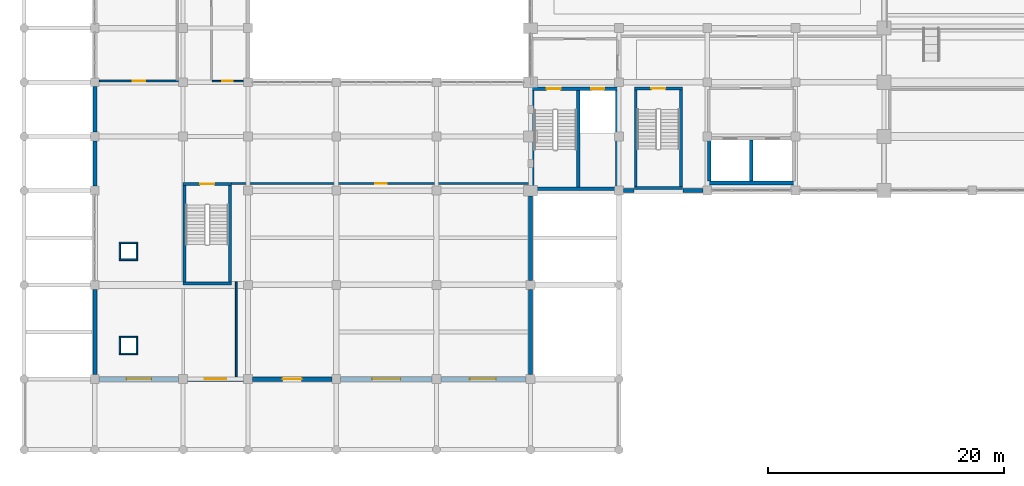
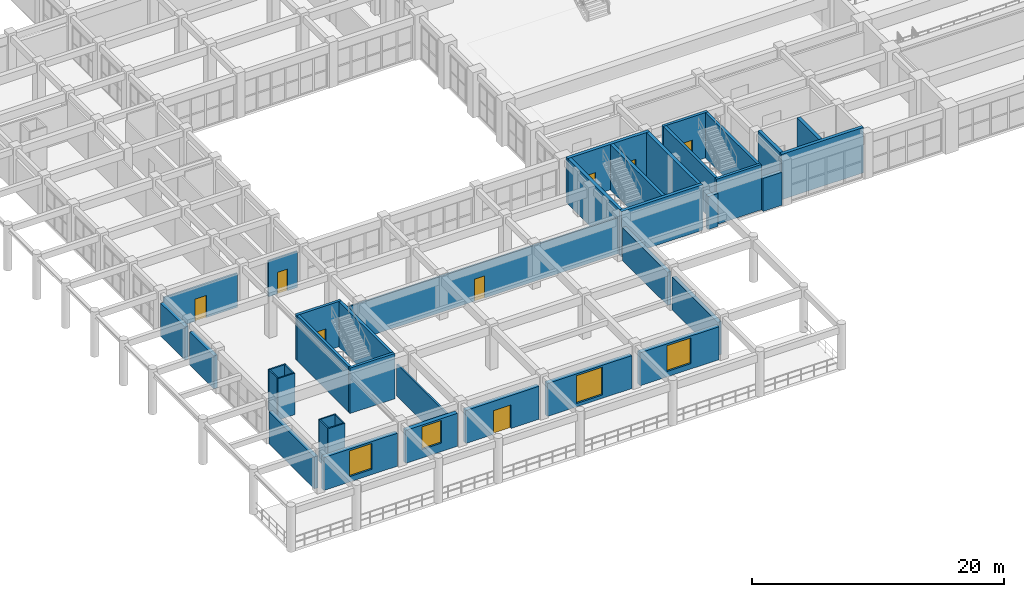
# One storey, part 95 of 116: 40 walls, 8 doors, 4 windows, 12 openings.
"""IFC4 building model written with IfcOpenShell, lengths in metres."""

from ifc_helpers import new_model, si_unit, direction, frame, frame_2d, origin, place, context, subcontext, project, spatial, rectangle, extrude, material, layer, layer_set, type_object, element, fill, save


model = new_model("IFC4")

# Units and contexts
model_context = context("Model", 3, precision=1e-05, world=origin(), true_north=direction((0.0, 1.0)))
body_context = subcontext(model_context, "Body", "Model", "MODEL_VIEW")
ifc_project = project(units=[si_unit("LENGTHUNIT", "METRE"), si_unit("AREAUNIT", "SQUARE_METRE"), si_unit("VOLUMEUNIT", "CUBIC_METRE"), si_unit("PLANEANGLEUNIT", "RADIAN"), si_unit("MASSUNIT", "GRAM", prefix="KILO")], contexts=[model_context])

# Site, building, storey
site_placement = place(None, origin())
site = spatial("IfcSite", under=ifc_project, at=site_placement, CompositionType="ELEMENT")
building_placement = place(site_placement, origin())
building = spatial("IfcBuilding", under=site, at=building_placement, Name="Muzn Square Opera House", CompositionType="ELEMENT")
storey_placement = place(building_placement, frame((0.0, 0.0, 5.39990234375)))
storey = spatial("IfcBuildingStorey", under=building, at=storey_placement, Name="L01", CompositionType="ELEMENT", Elevation=5.39990234375)

# Walls
ifc_material_1 = material(Name="Concrete C45/55", Category="concrete")
ifc_layer_1 = layer(ifc_material_1, 0.25, Name="Concrete C45/55", Category="concrete")
ifc_layer_set_1 = layer_set([ifc_layer_1], Name="Concrete C45/55")
wall_type_1 = type_object("IfcWallType", Name="Aux Stair Enclosure Wall 250mm", PredefinedType="SHEAR", material=ifc_layer_set_1)
wall_1_placement = place(storey_placement, frame((13.5, 14.125, 0.0), z_axis=(0.0, 0.0, 1.0), x_axis=(1.0, 0.0, 0.0)))
element("IfcWall", 1, at=wall_1_placement, inside=storey, type_object=wall_type_1, Name="Escape Stair ST-7 Wall S L01", PredefinedType="SHEAR", context=body_context, shape_type="SweptSolid", body=[
    extrude(rectangle(XDim=4.10009765625, YDim=0.25, at=frame_2d((2.050048828125, 0.0))), origin(), (0.0, 0.0, 1.0), 4.400146484375),
])
for number, where, z_axis, x_axis, name in (
    (2, (13.625, 14.25, 0.0), (0.0, 0.0, 1.0), (0.0, 1.0, 0.0), "Escape Stair ST-7 Wall W L01"),
    (3, (17.47509765625, 14.25, 0.0), (0.0, 0.0, 1.0), (0.0, 1.0, 0.0), "Escape Stair ST-7 Wall E L01"),
):
    element("IfcWall", number, at=place(storey_placement, frame(where, z_axis=z_axis, x_axis=x_axis)), inside=storey, type_object=wall_type_1, Name=name, PredefinedType="SHEAR", context=body_context, shape_type="SweptSolid", body=[
        extrude(rectangle(XDim=8.199951171875, YDim=0.25, at=frame_2d((4.10009765625, 0.0))), origin(), (0.0, 0.0, 1.0), 4.400146484375),
    ])

# Wall, opening, door
wall_2_placement = place(storey_placement, frame((13.5, 22.574951171875, 0.0), z_axis=(0.0, 0.0, 1.0), x_axis=(1.0, 0.0, 0.0)))
wall_2 = element("IfcWall", 4, at=wall_2_placement, inside=storey, type_object=wall_type_1, Name="Escape Stair ST-7 Wall N L01", PredefinedType="SHEAR", context=body_context, shape_type="SweptSolid", body=[
    extrude(rectangle(XDim=4.10009765625, YDim=0.25, at=frame_2d((2.050048828125, 0.0))), origin(), (0.0, 0.0, 1.0), 4.400146484375),
])
opening_1_placement = place(wall_2_placement, frame((1.449951171875, 0.0, 0.0)))
opening_1 = element("IfcOpeningElement", 5, at=opening_1_placement, cuts=wall_2, Name="Opening DR-ST12", PredefinedType="OPENING", context=body_context, shape_type="SweptSolid", body=[
    extrude(rectangle(XDim=1.199951171875, YDim=2.14990234375, at=frame_2d((0.60009765625, 1.074951171875))), frame((0.0, 0.135009765625, 0.0), z_axis=(0.0, -1.0, 0.0), x_axis=(1.0, 0.0, 0.0)), (0.0, 0.0, 1.0), 0.27001953125),
])
ifc_material_2 = material(Name="Galvanised painted steel leaf", Category="metal")
door_type_1 = type_object("IfcDoorType", Name="Core Stair Fire Door 1200x2150", OperationType="NOTDEFINED", PredefinedType="DOOR", material=ifc_material_2)
door_1_placement = place(opening_1_placement, origin())
door_1 = element("IfcDoor", 6, at=door_1_placement, inside=storey, type_object=door_type_1, Name="Escape Stair ST-7 Door L01", OperationType="SINGLE_SWING_LEFT", OverallHeight=2.14990234375, OverallWidth=1.199951171875, PredefinedType="DOOR", context=body_context, shape_type="SweptSolid", body=[
    extrude(rectangle(XDim=1.199951171875, YDim=2.14990234375, at=frame_2d((0.60009765625, 1.074951171875))), frame((0.0, 0.02490234375, 0.0), z_axis=(0.0, -1.0, 0.0), x_axis=(1.0, 0.0, 0.0)), (0.0, 0.0, 1.0), 0.050048828125),
])
fill(opening_1, door_1)

# Walls
wall_3_placement = place(storey_placement, frame((51.800048828125, 22.22509765625, 0.0), z_axis=(0.0, 0.0, 1.0), x_axis=(1.0, 0.0, 0.0)))
element("IfcWall", 7, at=wall_3_placement, inside=storey, type_object=wall_type_1, Name="Escape Stair ST-11 Wall S L01", PredefinedType="SHEAR", context=body_context, shape_type="SweptSolid", body=[
    extrude(rectangle(XDim=4.099853515625, YDim=0.25, at=frame_2d((2.0498046875, 0.0))), origin(), (0.0, 0.0, 1.0), 4.400146484375),
])
for number, where, z_axis, x_axis, name in (
    (8, (51.925048828125, 22.35009765625, 0.0), (0.0, 0.0, 1.0), (0.0, 1.0, 0.0), "Escape Stair ST-11 Wall W L01"),
    (9, (55.77490234375, 22.35009765625, 0.0), (0.0, 0.0, 1.0), (0.0, 1.0, 0.0), "Escape Stair ST-11 Wall E L01"),
):
    element("IfcWall", number, at=place(storey_placement, frame(where, z_axis=z_axis, x_axis=x_axis)), inside=storey, type_object=wall_type_1, Name=name, PredefinedType="SHEAR", context=body_context, shape_type="SweptSolid", body=[
        extrude(rectangle(XDim=8.199951171875, YDim=0.25, at=frame_2d((4.10009765625, 0.0))), origin(), (0.0, 0.0, 1.0), 4.400146484375),
    ])

# Wall, opening, door
wall_4_placement = place(storey_placement, frame((51.800048828125, 30.675048828125, 0.0), z_axis=(0.0, 0.0, 1.0), x_axis=(1.0, 0.0, 0.0)))
wall_4 = element("IfcWall", 10, at=wall_4_placement, inside=storey, type_object=wall_type_1, Name="Escape Stair ST-11 Wall N L01", PredefinedType="SHEAR", context=body_context, shape_type="SweptSolid", body=[
    extrude(rectangle(XDim=4.099853515625, YDim=0.25, at=frame_2d((2.0498046875, 0.0))), origin(), (0.0, 0.0, 1.0), 4.400146484375),
])
opening_2_placement = place(wall_4_placement, frame((1.449951171875, 0.0, 0.0)))
opening_2 = element("IfcOpeningElement", 11, at=opening_2_placement, cuts=wall_4, Name="Opening DR-ST12", PredefinedType="OPENING", context=body_context, shape_type="SweptSolid", body=[
    extrude(rectangle(XDim=1.199951171875, YDim=2.14990234375, at=frame_2d((0.60009765625, 1.074951171875))), frame((0.0, 0.135009765625, 0.0), z_axis=(0.0, -1.0, 0.0), x_axis=(1.0, 0.0, 0.0)), (0.0, 0.0, 1.0), 0.27001953125),
])
door_2_placement = place(opening_2_placement, origin())
door_2 = element("IfcDoor", 12, at=door_2_placement, inside=storey, type_object=door_type_1, Name="Escape Stair ST-11 Door L01", OperationType="SINGLE_SWING_LEFT", OverallHeight=2.14990234375, OverallWidth=1.199951171875, PredefinedType="DOOR", context=body_context, shape_type="SweptSolid", body=[
    extrude(rectangle(XDim=1.199951171875, YDim=2.14990234375, at=frame_2d((0.60009765625, 1.074951171875))), frame((0.0, 0.02490234375, 0.0), z_axis=(0.0, -1.0, 0.0), x_axis=(1.0, 0.0, 0.0)), (0.0, 0.0, 1.0), 0.050048828125),
])
fill(opening_2, door_2)

# Walls
ifc_layer_2 = layer(ifc_material_1, 0.300048828125, Name="Concrete C45/55", Category="concrete")
ifc_layer_set_2 = layer_set([ifc_layer_2], Name="Concrete C45/55")
wall_type_2 = type_object("IfcWallType", Name="Core Shear Wall 300mm", PredefinedType="SHEAR", material=ifc_layer_set_2)
wall_5_placement = place(storey_placement, frame((43.0, 22.14990234375, 0.0), z_axis=(0.0, 0.0, 1.0), x_axis=(1.0, 0.0, 0.0)))
element("IfcWall", 13, at=wall_5_placement, inside=storey, type_object=wall_type_2, Name="Core C3 Shear Wall SW-C3-L01-S", PredefinedType="SHEAR", context=body_context, shape_type="SweptSolid", body=[
    extrude(rectangle(XDim=7.5, YDim=0.300048828125, at=frame_2d((3.75, 0.0))), origin(), (0.0, 0.0, 1.0), 4.400146484375),
])
for number, where, z_axis, x_axis, name in (
    (14, (43.14990234375, 22.300048828125, 0.0), (0.0, 0.0, 1.0), (0.0, 1.0, 0.0), "Core C3 Shear Wall SW-C3-L01-W"),
    (15, (50.35009765625, 22.300048828125, 0.0), (0.0, 0.0, 1.0), (0.0, 1.0, 0.0), "Core C3 Shear Wall SW-C3-L01-E"),
    (16, (47.050048828125, 22.300048828125, 0.0), (0.0, 0.0, 1.0), (0.0, 1.0, 0.0), "Core C3 Shear Wall SW-C3-L01-DIV"),
):
    element("IfcWall", number, at=place(storey_placement, frame(where, z_axis=z_axis, x_axis=x_axis)), inside=storey, type_object=wall_type_2, Name=name, PredefinedType="SHEAR", context=body_context, shape_type="SweptSolid", body=[
        extrude(rectangle(XDim=8.199951171875, YDim=0.300048828125, at=frame_2d((4.10009765625, 0.0))), origin(), (0.0, 0.0, 1.0), 4.400146484375),
    ])
wall_6_placement = place(storey_placement, frame((58.0, 22.64990234375, 0.0), z_axis=(0.0, 0.0, 1.0), x_axis=(1.0, 0.0, 0.0)))
element("IfcWall", 17, at=wall_6_placement, inside=storey, type_object=wall_type_2, Name="Lift Bank LBW Shear Wall SW-LBW-L01-S", PredefinedType="SHEAR", context=body_context, shape_type="SweptSolid", body=[
    extrude(rectangle(XDim=7.5, YDim=0.300048828125, at=frame_2d((3.75, 0.0))), origin(), (0.0, 0.0, 1.0), 4.400146484375),
])
for number, where, z_axis, x_axis, name in (
    (18, (58.14990234375, 22.800048828125, 0.0), (0.0, 0.0, 1.0), (0.0, 1.0, 0.0), "Lift Bank LBW Shear Wall SW-LBW-L01-W"),
    (19, (61.75, 22.800048828125, 0.0), (0.0, 0.0, 1.0), (0.0, 1.0, 0.0), "Lift Bank LBW Shear Wall SW-LBW-L01-DIV"),
):
    element("IfcWall", number, at=place(storey_placement, frame(where, z_axis=z_axis, x_axis=x_axis)), inside=storey, type_object=wall_type_2, Name=name, PredefinedType="SHEAR", context=body_context, shape_type="SweptSolid", body=[
        extrude(rectangle(XDim=3.5, YDim=0.300048828125, at=frame_2d((1.75, 0.0))), origin(), (0.0, 0.0, 1.0), 4.400146484375),
    ])

# Wall, openings, doors
wall_7_placement = place(storey_placement, frame((43.0, 30.64990234375, 0.0), z_axis=(0.0, 0.0, 1.0), x_axis=(1.0, 0.0, 0.0)))
wall_7 = element("IfcWall", 20, at=wall_7_placement, inside=storey, type_object=wall_type_2, Name="Core C3 Front Shear Wall L01", PredefinedType="SHEAR", context=body_context, shape_type="SweptSolid", body=[
    extrude(rectangle(XDim=7.5, YDim=0.300048828125, at=frame_2d((3.75, 0.0))), origin(), (0.0, 0.0, 1.0), 4.400146484375),
])
opening_3_placement = place(wall_7_placement, frame((1.35009765625, 0.0, 0.0)))
opening_3 = element("IfcOpeningElement", 21, at=opening_3_placement, cuts=wall_7, Name="Opening DR-ST12", PredefinedType="OPENING", context=body_context, shape_type="SweptSolid", body=[
    extrude(rectangle(XDim=1.199951171875, YDim=2.14990234375, at=frame_2d((0.60009765625, 1.074951171875))), frame((0.0, 0.159912109375, 0.0), z_axis=(0.0, -1.0, 0.0), x_axis=(1.0, 0.0, 0.0)), (0.0, 0.0, 1.0), 0.320068359375),
])
opening_4_placement = place(wall_7_placement, frame((5.14990234375, 0.0, 0.0)))
opening_4 = element("IfcOpeningElement", 22, at=opening_4_placement, cuts=wall_7, Name="Opening LD-01", PredefinedType="OPENING", context=body_context, shape_type="SweptSolid", body=[
    extrude(rectangle(XDim=1.10009765625, YDim=2.14990234375, at=frame_2d((0.550048828125, 1.074951171875))), frame((0.0, 0.159912109375, 0.0), z_axis=(0.0, -1.0, 0.0), x_axis=(1.0, 0.0, 0.0)), (0.0, 0.0, 1.0), 0.320068359375),
])
door_3_placement = place(opening_3_placement, origin())
door_3 = element("IfcDoor", 23, at=door_3_placement, inside=storey, type_object=door_type_1, Name="Core C3 Stair Door L01", OperationType="SINGLE_SWING_LEFT", OverallHeight=2.14990234375, OverallWidth=1.199951171875, PredefinedType="DOOR", context=body_context, shape_type="SweptSolid", body=[
    extrude(rectangle(XDim=1.199951171875, YDim=2.14990234375, at=frame_2d((0.60009765625, 1.074951171875))), frame((0.0, 0.02490234375, 0.0), z_axis=(0.0, -1.0, 0.0), x_axis=(1.0, 0.0, 0.0)), (0.0, 0.0, 1.0), 0.050048828125),
])
fill(opening_3, door_3)
ifc_material_3 = material(Name="Brushed stainless steel", Category="metal")
door_type_2 = type_object("IfcDoorType", Name="Lift Landing Sliding Door 1100x2150", OperationType="SLIDING_TO_LEFT", PredefinedType="DOOR", material=ifc_material_3)
door_4_placement = place(opening_4_placement, origin())
door_4 = element("IfcDoor", 24, at=door_4_placement, inside=storey, type_object=door_type_2, Name="Lift PL-1 Sliding Landing Door L01", OperationType="SLIDING_TO_LEFT", OverallHeight=2.14990234375, OverallWidth=1.10009765625, PredefinedType="DOOR", context=body_context, shape_type="SweptSolid", body=[
    extrude(rectangle(XDim=1.10009765625, YDim=2.14990234375, at=frame_2d((0.550048828125, 1.074951171875))), frame((0.0, 0.02490234375, 0.0), z_axis=(0.0, -1.0, 0.0), x_axis=(1.0, 0.0, 0.0)), (0.0, 0.0, 1.0), 0.050048828125),
])
fill(opening_4, door_4)

# Walls
ifc_material_4 = material(Name="Concrete C40/50", Category="concrete")
ifc_layer_3 = layer(ifc_material_4, 0.340087890625, Name="Concrete C40/50", Category="concrete")
ifc_layer_set_3 = layer_set([ifc_layer_3], Name="Concrete C40/50")
wall_type_3 = type_object("IfcWallType", Name="Exterior Insulated Spandrel Wall 340mm", PredefinedType="SOLIDWALL", material=ifc_layer_set_3)
wall_8_placement = place(storey_placement, frame((43.0, 6.375, 0.0), z_axis=(0.0, 0.0, 1.0), x_axis=(0.0, 1.0, 0.0)))
element("IfcWall", 25, at=wall_8_placement, inside=storey, type_object=wall_type_3, Name="Exterior Facade Wall EW-L01-170", PredefinedType="SOLIDWALL", context=body_context, shape_type="SweptSolid", body=[
    extrude(rectangle(XDim=7.25, YDim=0.340087890625, at=frame_2d((3.625, 0.0))), origin(), (0.0, 0.0, 1.0), 3.2001953125),
])
wall_9_placement = place(storey_placement, frame((43.0, 14.375, 0.0), z_axis=(0.0, 0.0, 1.0), x_axis=(0.0, 1.0, 0.0)))
element("IfcWall", 26, at=wall_9_placement, inside=storey, type_object=wall_type_3, Name="Exterior Facade Wall EW-L01-171", PredefinedType="SOLIDWALL", context=body_context, shape_type="SweptSolid", body=[
    extrude(rectangle(XDim=7.175048828125, YDim=0.340087890625, at=frame_2d((3.58740234375, 0.0))), origin(), (0.0, 0.0, 1.0), 3.2001953125),
])
wall_10_placement = place(storey_placement, frame((6.0, 6.375, 0.0), z_axis=(0.0, 0.0, 1.0), x_axis=(0.0, 1.0, 0.0)))
element("IfcWall", 27, at=wall_10_placement, inside=storey, type_object=wall_type_3, Name="Exterior Facade Wall EW-L01-172", PredefinedType="SOLIDWALL", context=body_context, shape_type="SweptSolid", body=[
    extrude(rectangle(XDim=7.25, YDim=0.340087890625, at=frame_2d((3.625, 0.0))), origin(), (0.0, 0.0, 1.0), 3.10009765625),
])
wall_11_placement = place(storey_placement, frame((6.0, 22.375, 0.0), z_axis=(0.0, 0.0, 1.0), x_axis=(0.0, 1.0, 0.0)))
element("IfcWall", 28, at=wall_11_placement, inside=storey, type_object=wall_type_3, Name="Exterior Facade Wall EW-L01-173", PredefinedType="SOLIDWALL", context=body_context, shape_type="SweptSolid", body=[
    extrude(rectangle(XDim=3.85009765625, YDim=0.340087890625, at=frame_2d((1.925048828125, 0.0))), origin(), (0.0, 0.0, 1.0), 3.2001953125),
])
wall_12_placement = place(storey_placement, frame((6.0, 26.97509765625, 0.0), z_axis=(0.0, 0.0, 1.0), x_axis=(0.0, 1.0, 0.0)))
element("IfcWall", 29, at=wall_12_placement, inside=storey, type_object=wall_type_3, Name="Exterior Facade Wall EW-L01-174", PredefinedType="SOLIDWALL", context=body_context, shape_type="SweptSolid", body=[
    extrude(rectangle(XDim=3.849853515625, YDim=0.340087890625, at=frame_2d((1.9248046875, 0.0))), origin(), (0.0, 0.0, 1.0), 3.2001953125),
])
wall_13_placement = place(storey_placement, frame((50.875, 22.0, 0.0), z_axis=(0.0, 0.0, 1.0), x_axis=(1.0, 0.0, 0.0)))
element("IfcWall", 30, at=wall_13_placement, inside=storey, type_object=wall_type_3, Name="Exterior Facade Wall EW-L01-168", PredefinedType="SOLIDWALL", context=body_context, shape_type="SweptSolid", body=[
    extrude(rectangle(XDim=0.905029296875, YDim=0.340087890625, at=frame_2d((0.45263671875, 0.0))), origin(), (0.0, 0.0, 1.0), 3.2001953125),
])
wall_14_placement = place(storey_placement, frame((55.919921875, 22.0, 0.0), z_axis=(0.0, 0.0, 1.0), x_axis=(1.0, 0.0, 0.0)))
element("IfcWall", 31, at=wall_14_placement, inside=storey, type_object=wall_type_3, Name="Exterior Facade Wall EW-L01-168", PredefinedType="SOLIDWALL", context=body_context, shape_type="SweptSolid", body=[
    extrude(rectangle(XDim=1.705078125, YDim=0.340087890625, at=frame_2d((0.8525390625, 0.0))), origin(), (0.0, 0.0, 1.0), 3.2001953125),
])

# Wall, opening, window
ifc_layer_4 = layer(ifc_material_4, 0.3798828125, Name="Concrete C40/50", Category="concrete")
ifc_layer_set_4 = layer_set([ifc_layer_4], Name="Concrete C40/50")
wall_type_4 = type_object("IfcWallType", Name="Exterior Limestone Wall 380mm", PredefinedType="SOLIDWALL", material=ifc_layer_set_4)
wall_15_placement = place(storey_placement, frame((6.375, 6.0, 0.0), z_axis=(0.0, 0.0, 1.0), x_axis=(1.0, 0.0, 0.0)))
wall_15 = element("IfcWall", 32, at=wall_15_placement, inside=storey, type_object=wall_type_4, Name="Exterior Facade Wall EW-L01-015", PredefinedType="SOLIDWALL", context=body_context, shape_type="SweptSolid", body=[
    extrude(rectangle(XDim=6.75, YDim=0.3798828125, at=frame_2d((3.375, 0.0))), origin(), (0.0, 0.0, 1.0), 3.2001953125),
])
opening_5_placement = place(wall_15_placement, frame((2.324951171875, 0.0, 0.52001953125)))
opening_5 = element("IfcOpeningElement", 33, at=opening_5_placement, cuts=wall_15, Name="Opening WN-V2125", PredefinedType="OPENING", context=body_context, shape_type="SweptSolid", body=[
    extrude(rectangle(XDim=2.10009765625, YDim=2.5, at=frame_2d((1.050048828125, 1.25))), frame((0.0, 0.199951171875, 0.0), z_axis=(0.0, -1.0, 0.0), x_axis=(1.0, 0.0, 0.0)), (0.0, 0.0, 1.0), 0.39990234375),
])
ifc_material_5 = material(Name="Low-E laminated acoustic double glazing", Category="glass")
window_type_1 = type_object("IfcWindowType", Name="VIP Salon Window 2100x2500", PartitioningType="DOUBLE_PANEL_VERTICAL", PredefinedType="WINDOW", material=ifc_material_5)
window_1_placement = place(opening_5_placement, origin())
window_1 = element("IfcWindow", 34, at=window_1_placement, inside=storey, type_object=window_type_1, Name="VIP Salon Window 2100x2500 EW-L01-015-WN01", OverallHeight=2.5, OverallWidth=2.10009765625, PartitioningType="SINGLE_PANEL", PredefinedType="WINDOW", context=body_context, shape_type="SweptSolid", body=[
    extrude(rectangle(XDim=2.10009765625, YDim=2.5, at=frame_2d((1.050048828125, 1.25))), frame((0.0, 0.030029296875, 0.0), z_axis=(0.0, -1.0, 0.0), x_axis=(1.0, 0.0, 0.0)), (0.0, 0.0, 1.0), 0.06005859375),
])
fill(opening_5, window_1)

wall_16_placement = place(storey_placement, frame((13.875, 6.0, 0.0), z_axis=(0.0, 0.0, 1.0), x_axis=(1.0, 0.0, 0.0)))
wall_16 = element("IfcWall", 35, at=wall_16_placement, inside=storey, type_object=wall_type_4, Name="Exterior Facade Wall EW-L01-016", PredefinedType="SOLIDWALL", context=body_context, shape_type="SweptSolid", body=[
    extrude(rectangle(XDim=4.75, YDim=0.3798828125, at=frame_2d((2.375, 0.0))), origin(), (0.0, 0.0, 1.0), 3.2001953125),
])
opening_6_placement = place(wall_16_placement, frame((1.47509765625, 0.0, 0.820068359375)))
opening_6 = element("IfcOpeningElement", 36, at=opening_6_placement, cuts=wall_16, Name="Opening WN-A1822", PredefinedType="OPENING", context=body_context, shape_type="SweptSolid", body=[
    extrude(rectangle(XDim=1.800048828125, YDim=2.199951171875, at=frame_2d((0.89990234375, 1.10009765625))), frame((0.0, 0.199951171875, 0.0), z_axis=(0.0, -1.0, 0.0), x_axis=(1.0, 0.0, 0.0)), (0.0, 0.0, 1.0), 0.39990234375),
])
window_type_2 = type_object("IfcWindowType", Name="Soloist Suite Window 1800x2200", PartitioningType="DOUBLE_PANEL_VERTICAL", PredefinedType="WINDOW", material=ifc_material_5)
window_2_placement = place(opening_6_placement, origin())
window_2 = element("IfcWindow", 37, at=window_2_placement, inside=storey, type_object=window_type_2, Name="Soloist Suite Window 1800x2200 EW-L01-016-WN01", OverallHeight=2.199951171875, OverallWidth=1.800048828125, PartitioningType="SINGLE_PANEL", PredefinedType="WINDOW", context=body_context, shape_type="SweptSolid", body=[
    extrude(rectangle(XDim=1.800048828125, YDim=2.199951171875, at=frame_2d((0.89990234375, 1.10009765625))), frame((0.0, 0.030029296875, 0.0), z_axis=(0.0, -1.0, 0.0), x_axis=(1.0, 0.0, 0.0)), (0.0, 0.0, 1.0), 0.06005859375),
])
fill(opening_6, window_2)

# Wall, opening, door
wall_17_placement = place(storey_placement, frame((19.375, 6.0, 0.0), z_axis=(0.0, 0.0, 1.0), x_axis=(1.0, 0.0, 0.0)))
wall_17 = element("IfcWall", 38, at=wall_17_placement, inside=storey, type_object=wall_type_4, Name="Exterior Facade Wall EW-L01-017", PredefinedType="SOLIDWALL", context=body_context, shape_type="SweptSolid", body=[
    extrude(rectangle(XDim=6.75, YDim=0.3798828125, at=frame_2d((3.375, 0.0))), origin(), (0.0, 0.0, 1.0), 3.2001953125),
])
opening_7_placement = place(wall_17_placement, frame((4.175048828125, 0.0, 0.0), z_axis=(0.0, 0.0, 1.0), x_axis=(-1.0, 0.0, 0.0)))
opening_7 = element("IfcOpeningElement", 39, at=opening_7_placement, cuts=wall_17, Name="Opening DR-TR16", PredefinedType="OPENING", context=body_context, shape_type="SweptSolid", body=[
    extrude(rectangle(XDim=1.60009765625, YDim=2.300048828125, at=frame_2d((0.800048828125, 1.14990234375))), frame((0.0, 0.199951171875, 0.0), z_axis=(0.0, -1.0, 0.0), x_axis=(1.0, 0.0, 0.0)), (0.0, 0.0, 1.0), 0.39990234375),
])
ifc_material_6 = material(Name="Anodised bronze aluminium", Category="metal")
door_type_3 = type_object("IfcDoorType", Name="Loggia Glazed Door 1600x2300", OperationType="DOUBLE_DOOR_SINGLE_SWING", PredefinedType="DOOR", material=ifc_material_6)
door_5_placement = place(opening_7_placement, origin())
door_5 = element("IfcDoor", 40, at=door_5_placement, inside=storey, type_object=door_type_3, Name="West Loggia Terrace Door", OperationType="DOUBLE_DOOR_SINGLE_SWING", OverallHeight=2.300048828125, OverallWidth=1.60009765625, PredefinedType="DOOR", context=body_context, shape_type="SweptSolid", body=[
    extrude(rectangle(XDim=1.60009765625, YDim=2.300048828125, at=frame_2d((0.800048828125, 1.14990234375))), frame((0.0, 0.02490234375, 0.0), z_axis=(0.0, -1.0, 0.0), x_axis=(1.0, 0.0, 0.0)), (0.0, 0.0, 1.0), 0.050048828125),
])
fill(opening_7, door_5)

# Wall, opening, window
wall_18_placement = place(storey_placement, frame((26.875, 6.0, 0.0), z_axis=(0.0, 0.0, 1.0), x_axis=(1.0, 0.0, 0.0)))
wall_18 = element("IfcWall", 41, at=wall_18_placement, inside=storey, type_object=wall_type_4, Name="Exterior Facade Wall EW-L01-018", PredefinedType="SOLIDWALL", context=body_context, shape_type="SweptSolid", body=[
    extrude(rectangle(XDim=7.75, YDim=0.3798828125, at=frame_2d((3.875, 0.0))), origin(), (0.0, 0.0, 1.0), 3.2001953125),
])
opening_8_placement = place(wall_18_placement, frame((2.675048828125, 0.0, 0.320068359375)))
opening_8 = element("IfcOpeningElement", 42, at=opening_8_placement, cuts=wall_18, Name="Opening WN-F2427", PredefinedType="OPENING", context=body_context, shape_type="SweptSolid", body=[
    extrude(rectangle(XDim=2.39990234375, YDim=2.699951171875, at=frame_2d((1.199951171875, 1.35009765625))), frame((0.0, 0.199951171875, 0.0), z_axis=(0.0, -1.0, 0.0), x_axis=(1.0, 0.0, 0.0)), (0.0, 0.0, 1.0), 0.39990234375),
])
window_type_3 = type_object("IfcWindowType", Name="Grand Foyer Window 2400x2700", PartitioningType="DOUBLE_PANEL_VERTICAL", PredefinedType="WINDOW", material=ifc_material_5)
window_3_placement = place(opening_8_placement, origin())
window_3 = element("IfcWindow", 43, at=window_3_placement, inside=storey, type_object=window_type_3, Name="Grand Foyer Window 2400x2700 EW-L01-018-WN01", OverallHeight=2.699951171875, OverallWidth=2.39990234375, PartitioningType="SINGLE_PANEL", PredefinedType="WINDOW", context=body_context, shape_type="SweptSolid", body=[
    extrude(rectangle(XDim=2.39990234375, YDim=2.699951171875, at=frame_2d((1.199951171875, 1.35009765625))), frame((0.0, 0.030029296875, 0.0), z_axis=(0.0, -1.0, 0.0), x_axis=(1.0, 0.0, 0.0)), (0.0, 0.0, 1.0), 0.06005859375),
])
fill(opening_8, window_3)

wall_19_placement = place(storey_placement, frame((35.375, 6.0, 0.0), z_axis=(0.0, 0.0, 1.0), x_axis=(1.0, 0.0, 0.0)))
wall_19 = element("IfcWall", 44, at=wall_19_placement, inside=storey, type_object=wall_type_4, Name="Exterior Facade Wall EW-L01-019", PredefinedType="SOLIDWALL", context=body_context, shape_type="SweptSolid", body=[
    extrude(rectangle(XDim=7.25, YDim=0.3798828125, at=frame_2d((3.625, 0.0))), origin(), (0.0, 0.0, 1.0), 3.2001953125),
])
opening_9_placement = place(wall_19_placement, frame((2.47509765625, 0.0, 0.52001953125)))
opening_9 = element("IfcOpeningElement", 45, at=opening_9_placement, cuts=wall_19, Name="Opening WN-P2225", PredefinedType="OPENING", context=body_context, shape_type="SweptSolid", body=[
    extrude(rectangle(XDim=2.199951171875, YDim=2.5, at=frame_2d((1.10009765625, 1.25))), frame((0.0, 0.199951171875, 0.0), z_axis=(0.0, -1.0, 0.0), x_axis=(1.0, 0.0, 0.0)), (0.0, 0.0, 1.0), 0.39990234375),
])
window_type_4 = type_object("IfcWindowType", Name="Promenade Window 2200x2500", PartitioningType="DOUBLE_PANEL_VERTICAL", PredefinedType="WINDOW", material=ifc_material_5)
window_4_placement = place(opening_9_placement, origin())
window_4 = element("IfcWindow", 46, at=window_4_placement, inside=storey, type_object=window_type_4, Name="Promenade Window 2200x2500 EW-L01-019-WN01", OverallHeight=2.5, OverallWidth=2.199951171875, PartitioningType="SINGLE_PANEL", PredefinedType="WINDOW", context=body_context, shape_type="SweptSolid", body=[
    extrude(rectangle(XDim=2.199951171875, YDim=2.5, at=frame_2d((1.10009765625, 1.25))), frame((0.0, 0.030029296875, 0.0), z_axis=(0.0, -1.0, 0.0), x_axis=(1.0, 0.0, 0.0)), (0.0, 0.0, 1.0), 0.06005859375),
])
fill(opening_9, window_4)

# Wall, opening, door
ifc_material_7 = material(Name="Acoustic gypsum stud partition", Category="gypsum")
ifc_layer_5 = layer(ifc_material_7, 0.14990234375, Name="Acoustic gypsum stud partition", Category="gypsum")
ifc_layer_set_5 = layer_set([ifc_layer_5], Name="Acoustic gypsum stud partition")
wall_type_5 = type_object("IfcWallType", Name="Office Acoustic Partition 150mm", PredefinedType="PARTITIONING", material=ifc_layer_set_5)
wall_20_placement = place(storey_placement, frame((6.3798828125, 31.300048828125, 0.0), z_axis=(0.0, 0.0, 1.0), x_axis=(1.0, 0.0, 0.0)))
wall_20 = element("IfcWall", 47, at=wall_20_placement, inside=storey, type_object=wall_type_5, Name="Interior Partition PW-L01-0180", PredefinedType="PARTITIONING", context=body_context, shape_type="SweptSolid", body=[
    extrude(rectangle(XDim=6.740234375, YDim=0.14990234375, at=frame_2d((3.3701171875, 0.0))), origin(), (0.0, 0.0, 1.0), 3.300048828125),
])
opening_10_placement = place(wall_20_placement, frame((2.844970703125, 0.0, 0.0)))
opening_10 = element("IfcOpeningElement", 48, at=opening_10_placement, cuts=wall_20, Name="Opening DR-CD10", PredefinedType="OPENING", context=body_context, shape_type="SweptSolid", body=[
    extrude(rectangle(XDim=1.050048828125, YDim=2.14990234375, at=frame_2d((0.52490234375, 1.074951171875))), frame((0.0, 0.0849609375, 0.0), z_axis=(0.0, -1.0, 0.0), x_axis=(1.0, 0.0, 0.0)), (0.0, 0.0, 1.0), 0.169921875),
])
ifc_material_8 = material(Name="Acoustic hardwood leaf", Category="wood")
door_type_4 = type_object("IfcDoorType", Name="Chorus Dressing Door 1050x2150", OperationType="NOTDEFINED", PredefinedType="DOOR", material=ifc_material_8)
door_6_placement = place(opening_10_placement, origin())
door_6 = element("IfcDoor", 49, at=door_6_placement, inside=storey, type_object=door_type_4, Name="Chorus Wardrobe Fitting Salon Door DR-L01-0063", OperationType="SINGLE_SWING_RIGHT", OverallHeight=2.14990234375, OverallWidth=1.050048828125, PredefinedType="DOOR", context=body_context, shape_type="SweptSolid", body=[
    extrude(rectangle(XDim=1.050048828125, YDim=2.14990234375, at=frame_2d((0.52490234375, 1.074951171875))), frame((0.0, 0.02490234375, 0.0), z_axis=(0.0, -1.0, 0.0), x_axis=(1.0, 0.0, 0.0)), (0.0, 0.0, 1.0), 0.050048828125),
])
fill(opening_10, door_6)

wall_21_placement = place(storey_placement, frame((17.60498046875, 22.60009765625, 0.0), z_axis=(0.0, 0.0, 1.0), x_axis=(1.0, 0.0, 0.0)))
wall_21 = element("IfcWall", 50, at=wall_21_placement, inside=storey, type_object=wall_type_5, Name="Interior Partition PW-L01-0183", PredefinedType="PARTITIONING", context=body_context, shape_type="SweptSolid", body=[
    extrude(rectangle(XDim=25.39013671875, YDim=0.14990234375, at=frame_2d((12.695068359375, 0.0))), origin(), (0.0, 0.0, 1.0), 3.5),
])
opening_11_placement = place(wall_21_placement, frame((12.219970703125, 0.0, 0.0)))
opening_11 = element("IfcOpeningElement", 51, at=opening_11_placement, cuts=wall_21, Name="Opening DR-OF95", PredefinedType="OPENING", context=body_context, shape_type="SweptSolid", body=[
    extrude(rectangle(XDim=0.949951171875, YDim=2.14990234375, at=frame_2d((0.47509765625, 1.074951171875))), frame((0.0, 0.0849609375, 0.0), z_axis=(0.0, -1.0, 0.0), x_axis=(1.0, 0.0, 0.0)), (0.0, 0.0, 1.0), 0.169921875),
])
door_type_5 = type_object("IfcDoorType", Name="Office Room Door 950x2150", OperationType="NOTDEFINED", PredefinedType="DOOR", material=ifc_material_8)
door_7_placement = place(opening_11_placement, origin())
door_7 = element("IfcDoor", 52, at=door_7_placement, inside=storey, type_object=door_type_5, Name="Artists Green Room and Canteen Door DR-L01-0066", OperationType="SINGLE_SWING_LEFT", OverallHeight=2.14990234375, OverallWidth=0.949951171875, PredefinedType="DOOR", context=body_context, shape_type="SweptSolid", body=[
    extrude(rectangle(XDim=0.949951171875, YDim=2.14990234375, at=frame_2d((0.47509765625, 1.074951171875))), frame((0.0, 0.02490234375, 0.0), z_axis=(0.0, -1.0, 0.0), x_axis=(1.0, 0.0, 0.0)), (0.0, 0.0, 1.0), 0.050048828125),
])
fill(opening_11, door_7)

# Walls
wall_22_placement = place(storey_placement, frame((18.0, 6.195068359375, 0.0), z_axis=(0.0, 0.0, 1.0), x_axis=(0.0, 1.0, 0.0)))
element("IfcWall", 53, at=wall_22_placement, inside=storey, type_object=wall_type_5, Name="Room Enclosure Partition PW-L01-0241", PredefinedType="PARTITIONING", context=body_context, shape_type="SweptSolid", body=[
    extrude(rectangle(XDim=8.054931640625, YDim=0.14990234375, at=frame_2d((4.02734375, 0.0))), origin(), (0.0, 0.0, 1.0), 3.10009765625),
])
ifc_layer_6 = layer(ifc_material_7, 0.1298828125, Name="Acoustic gypsum stud partition", Category="gypsum")
ifc_layer_set_6 = layer_set([ifc_layer_6], Name="Acoustic gypsum stud partition")
wall_type_6 = type_object("IfcWallType", Name="Service Closet Partition 130mm", PredefinedType="PARTITIONING", material=ifc_layer_set_6)
for number, where, z_axis, x_axis, name in (
    (54, (8.070068359375, 8.135009765625, 0.0), (0.0, 0.0, 1.0), (1.0, 0.0, 0.0), "MEP Riser Shaft Wall RSR-WS L01-S"),
    (55, (8.070068359375, 9.56494140625, 0.0), (0.0, 0.0, 1.0), (1.0, 0.0, 0.0), "MEP Riser Shaft Wall RSR-WS L01-N"),
):
    element("IfcWall", number, at=place(storey_placement, frame(where, z_axis=z_axis, x_axis=x_axis)), inside=storey, type_object=wall_type_6, Name=name, PredefinedType="PARTITIONING", context=body_context, shape_type="SweptSolid", body=[
        extrude(rectangle(XDim=1.559814453125, YDim=0.1298828125, at=frame_2d((0.77978515625, 0.0))), origin(), (0.0, 0.0, 1.0), 4.02001953125),
    ])
for number, where, z_axis, x_axis, name in (
    (56, (8.135009765625, 8.199951171875, 0.0), (0.0, 0.0, 1.0), (0.0, 1.0, 0.0), "MEP Riser Shaft Wall RSR-WS L01-W"),
    (57, (9.56494140625, 8.199951171875, 0.0), (0.0, 0.0, 1.0), (0.0, 1.0, 0.0), "MEP Riser Shaft Wall RSR-WS L01-E"),
):
    element("IfcWall", number, at=place(storey_placement, frame(where, z_axis=z_axis, x_axis=x_axis)), inside=storey, type_object=wall_type_6, Name=name, PredefinedType="PARTITIONING", context=body_context, shape_type="SweptSolid", body=[
        extrude(rectangle(XDim=1.300048828125, YDim=0.1298828125, at=frame_2d((0.64990234375, 0.0))), origin(), (0.0, 0.0, 1.0), 4.02001953125),
    ])
for number, where, z_axis, x_axis, name in (
    (58, (8.070068359375, 16.135009765625, 0.0), (0.0, 0.0, 1.0), (1.0, 0.0, 0.0), "MEP Riser Shaft Wall RSR-WN L01-S"),
    (59, (8.070068359375, 17.56494140625, 0.0), (0.0, 0.0, 1.0), (1.0, 0.0, 0.0), "MEP Riser Shaft Wall RSR-WN L01-N"),
):
    element("IfcWall", number, at=place(storey_placement, frame(where, z_axis=z_axis, x_axis=x_axis)), inside=storey, type_object=wall_type_6, Name=name, PredefinedType="PARTITIONING", context=body_context, shape_type="SweptSolid", body=[
        extrude(rectangle(XDim=1.559814453125, YDim=0.1298828125, at=frame_2d((0.77978515625, 0.0))), origin(), (0.0, 0.0, 1.0), 4.02001953125),
    ])
for number, where, z_axis, x_axis, name in (
    (60, (8.135009765625, 16.199951171875, 0.0), (0.0, 0.0, 1.0), (0.0, 1.0, 0.0), "MEP Riser Shaft Wall RSR-WN L01-W"),
    (61, (9.56494140625, 16.199951171875, 0.0), (0.0, 0.0, 1.0), (0.0, 1.0, 0.0), "MEP Riser Shaft Wall RSR-WN L01-E"),
):
    element("IfcWall", number, at=place(storey_placement, frame(where, z_axis=z_axis, x_axis=x_axis)), inside=storey, type_object=wall_type_6, Name=name, PredefinedType="PARTITIONING", context=body_context, shape_type="SweptSolid", body=[
        extrude(rectangle(XDim=1.300048828125, YDim=0.1298828125, at=frame_2d((0.64990234375, 0.0))), origin(), (0.0, 0.0, 1.0), 4.02001953125),
    ])

# Wall, opening, door
ifc_layer_7 = layer(ifc_material_7, 0.139892578125, Name="Acoustic gypsum stud partition", Category="gypsum")
ifc_layer_set_7 = layer_set([ifc_layer_7], Name="Acoustic gypsum stud partition")
wall_type_7 = type_object("IfcWallType", Name="Wet Room Tile Partition 140mm", PredefinedType="PARTITIONING", material=ifc_layer_set_7)
wall_23_placement = place(storey_placement, frame((15.97509765625, 31.300048828125, 0.0), z_axis=(0.0, 0.0, 1.0), x_axis=(1.0, 0.0, 0.0)))
wall_23 = element("IfcWall", 62, at=wall_23_placement, inside=storey, type_object=wall_type_7, Name="Interior Partition PW-L01-0182", PredefinedType="PARTITIONING", context=body_context, shape_type="SweptSolid", body=[
    extrude(rectangle(XDim=2.64501953125, YDim=0.139892578125, at=frame_2d((1.322509765625, 0.0))), origin(), (0.0, 0.0, 1.0), 3.5),
])
opening_12_placement = place(wall_23_placement, frame((0.824951171875, 0.0, 0.0)))
opening_12 = element("IfcOpeningElement", 63, at=opening_12_placement, cuts=wall_23, Name="Opening DR-WC90", PredefinedType="OPENING", context=body_context, shape_type="SweptSolid", body=[
    extrude(rectangle(XDim=0.89990234375, YDim=2.10009765625, at=frame_2d((0.449951171875, 1.050048828125))), frame((0.0, 0.079833984375, 0.0), z_axis=(0.0, -1.0, 0.0), x_axis=(1.0, 0.0, 0.0)), (0.0, 0.0, 1.0), 0.159912109375),
])
door_type_6 = type_object("IfcDoorType", Name="Public WC Lobby Door 900x2100", OperationType="NOTDEFINED", PredefinedType="DOOR", material=ifc_material_8)
door_8_placement = place(opening_12_placement, origin())
door_8 = element("IfcDoor", 64, at=door_8_placement, inside=storey, type_object=door_type_6, Name="Chorus Shower and WC Suite Door DR-L01-0065", OperationType="SINGLE_SWING_RIGHT", OverallHeight=2.10009765625, OverallWidth=0.89990234375, PredefinedType="DOOR", context=body_context, shape_type="SweptSolid", body=[
    extrude(rectangle(XDim=0.89990234375, YDim=2.10009765625, at=frame_2d((0.449951171875, 1.050048828125))), frame((0.0, 0.02490234375, 0.0), z_axis=(0.0, -1.0, 0.0), x_axis=(1.0, 0.0, 0.0)), (0.0, 0.0, 1.0), 0.050048828125),
])
fill(opening_12, door_8)

save(model, "model.ifc")
